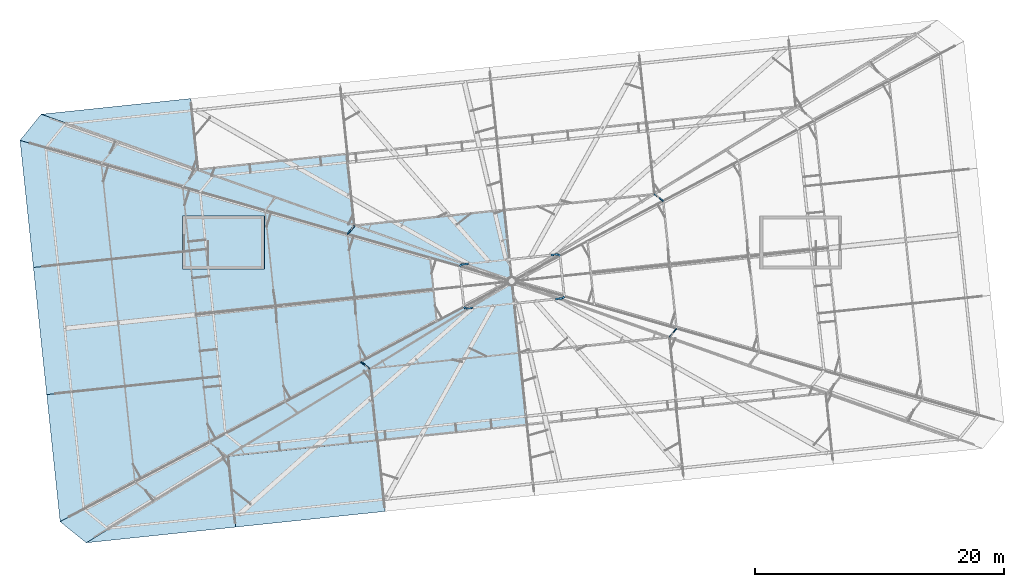
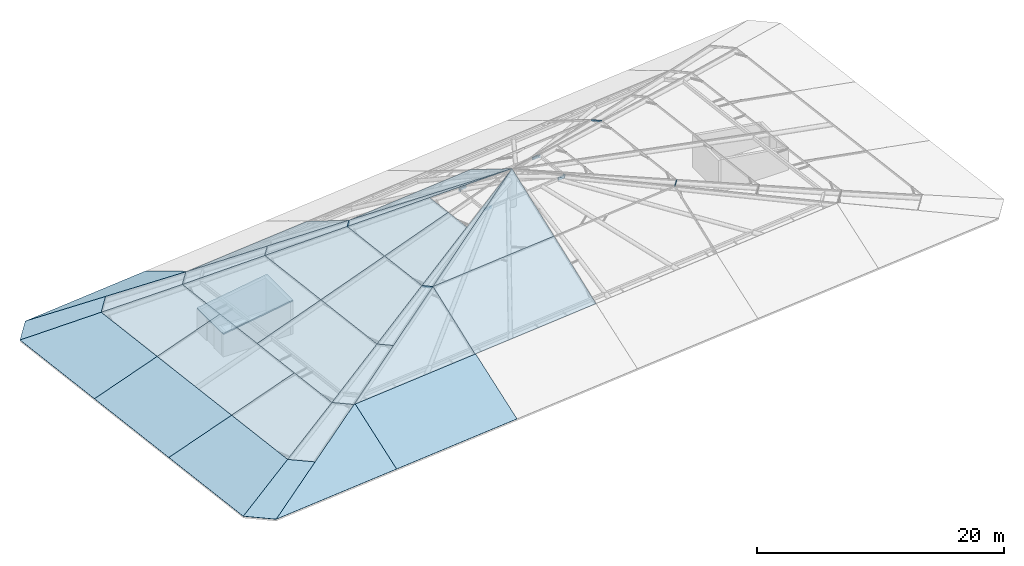
# One storey, part 4 of 20: 30 plates, 8 beams, 4 members, 1 slab, 26 elements without a shape of their own.
"""IFC4 building model written with IfcOpenShell, lengths in metres."""

from ifc_helpers import new_model, si_unit, direction, frame, origin, origin_2d, place, context, subcontext, project, spatial, polyline, rectangle, hollow_rectangle, outline, extrude, material, layer, layer_set, material_profile, profile_set, type_object, element, aggregate, save


model = new_model("IFC4")

# Units and contexts
model_context = context("Model", 3, precision=1e-05, world=origin(), true_north=direction((0.0, 1.0)))
body_context = subcontext(model_context, "Body", "Model", "MODEL_VIEW")
ifc_project = project(units=[si_unit("LENGTHUNIT", "METRE"), si_unit("AREAUNIT", "SQUARE_METRE"), si_unit("VOLUMEUNIT", "CUBIC_METRE"), si_unit("PLANEANGLEUNIT", "RADIAN"), si_unit("MASSUNIT", "GRAM", prefix="KILO")], contexts=[model_context])

# Site, building, storey
site_placement = place(None, origin())
site = spatial("IfcSite", under=ifc_project, at=site_placement, CompositionType="ELEMENT")
building_placement = place(site_placement, origin())
building = spatial("IfcBuilding", under=site, at=building_placement, Name="Hakoniwa Tower and Hamabe Station Hall", CompositionType="ELEMENT")
storey_placement = place(building_placement, frame((0.0, 0.0, 285.0)))
storey = spatial("IfcBuildingStorey", under=building, at=storey_placement, Name="Roof", CompositionType="ELEMENT", Elevation=285.0)

# Beams
ifc_material_1 = material(Name="Steel STKR400", Category="steel")
ifc_material_profile_1 = material_profile(ifc_material_1, hollow_rectangle(XDim=0.14990234375, YDim=0.25, WallThickness=0.009033203125, InnerFilletRadius=0.00439453125, OuterFilletRadius=0.013427734375, at=origin_2d()), Name="RHS-250x150x9")
ifc_profile_set_1 = profile_set([ifc_material_profile_1], Name="Steel STKR400")
beam_type = type_object("IfcBeamType", Name="CROWN UPPER RING RHS-250x150x9", PredefinedType="BEAM", material=ifc_profile_set_1)
beam_1_placement = place(storey_placement, frame((3.855224609375, 4.548583984375, 8.60009765625), z_axis=(-0.776573548957, 0.630026605041, 0.0), x_axis=(-0.630026605041, -0.776573548957, 0.0)))
element("IfcBeam", 1, at=beam_1_placement, inside=storey, type_object=beam_type, Name="CROWN FRAME CR2-01", PredefinedType="BEAM", context=body_context, shape_type="SweptSolid", body=[
    extrude(hollow_rectangle(XDim=0.14990234375, YDim=0.25, WallThickness=0.009033203125, InnerFilletRadius=0.00439453125, OuterFilletRadius=0.013427734375, at=origin_2d()), origin(), (0.0, 0.0, 1.0), 0.19482421875),
])
beam_2_placement = place(storey_placement, frame((3.703857421875, 4.67138671875, 8.60009765625), z_axis=(-0.994496263599, -0.104772046313, 0.0), x_axis=(0.104772046313, -0.994496263599, 0.0)))
element("IfcBeam", 2, at=beam_2_placement, inside=storey, type_object=beam_type, Name="CROWN FRAME CR2-02", PredefinedType="BEAM", context=body_context, shape_type="SweptSolid", body=[
    extrude(hollow_rectangle(XDim=0.14990234375, YDim=0.25, WallThickness=0.009033203125, InnerFilletRadius=0.00439453125, OuterFilletRadius=0.013427734375, at=origin_2d()), origin(), (0.0, 0.0, 1.0), 0.58251953125),
])
beam_3_placement = place(storey_placement, frame((-3.4951171875, 3.91455078125, 8.60009765625), z_axis=(-0.994535279061, -0.104401047423, 0.0), x_axis=(0.104401047423, -0.994535279061, 0.0)))
element("IfcBeam", 3, at=beam_3_placement, inside=storey, type_object=beam_type, Name="CROWN FRAME CR2-07", PredefinedType="BEAM", context=body_context, shape_type="SweptSolid", body=[
    extrude(hollow_rectangle(XDim=0.14990234375, YDim=0.25, WallThickness=0.009033203125, InnerFilletRadius=0.00439453125, OuterFilletRadius=0.013427734375, at=origin_2d()), origin(), (0.0, 0.0, 1.0), 0.582275390625),
])
for number, where, z_axis, x_axis, name in (
    (4, (-4.07421875, 3.853759765625, 8.60009765625), (-0.630026605041, -0.776573548957, 0.0), (0.776573548957, -0.630026605041, 0.0), "CROWN FRAME CR2-08"),
    (5, (-3.855224609375, 0.451416015625, 8.60009765625), (0.776573548957, -0.630026605041, 0.0), (0.630026605041, 0.776573548957, 0.0), "CROWN FRAME CR2-11"),
):
    element("IfcBeam", number, at=place(storey_placement, frame(where, z_axis=z_axis, x_axis=x_axis)), inside=storey, type_object=beam_type, Name=name, PredefinedType="BEAM", context=body_context, shape_type="SweptSolid", body=[
        extrude(hollow_rectangle(XDim=0.14990234375, YDim=0.25, WallThickness=0.009033203125, InnerFilletRadius=0.00439453125, OuterFilletRadius=0.013427734375, at=origin_2d()), origin(), (0.0, 0.0, 1.0), 0.19482421875),
    ])
beam_4_placement = place(storey_placement, frame((-3.703857421875, 0.32861328125, 8.60009765625), z_axis=(0.994496263599, 0.104772046313, 0.0), x_axis=(-0.104772046313, 0.994496263599, 0.0)))
element("IfcBeam", 6, at=beam_4_placement, inside=storey, type_object=beam_type, Name="CROWN FRAME CR2-12", PredefinedType="BEAM", context=body_context, shape_type="SweptSolid", body=[
    extrude(hollow_rectangle(XDim=0.14990234375, YDim=0.25, WallThickness=0.009033203125, InnerFilletRadius=0.00439453125, OuterFilletRadius=0.013427734375, at=origin_2d()), origin(), (0.0, 0.0, 1.0), 0.58251953125),
])
beam_5_placement = place(storey_placement, frame((3.4951171875, 1.08544921875, 8.60009765625), z_axis=(0.994535279061, 0.104401047423, 0.0), x_axis=(-0.104401047423, 0.994535279061, 0.0)))
element("IfcBeam", 7, at=beam_5_placement, inside=storey, type_object=beam_type, Name="CROWN FRAME CR2-17", PredefinedType="BEAM", context=body_context, shape_type="SweptSolid", body=[
    extrude(hollow_rectangle(XDim=0.14990234375, YDim=0.25, WallThickness=0.009033203125, InnerFilletRadius=0.00439453125, OuterFilletRadius=0.013427734375, at=origin_2d()), origin(), (0.0, 0.0, 1.0), 0.582275390625),
])
beam_6_placement = place(storey_placement, frame((4.07421875, 1.146240234375, 8.60009765625), z_axis=(0.630026605041, 0.776573548957, 0.0), x_axis=(-0.776573548957, 0.630026605041, 0.0)))
element("IfcBeam", 8, at=beam_6_placement, inside=storey, type_object=beam_type, Name="CROWN FRAME CR2-18", PredefinedType="BEAM", context=body_context, shape_type="SweptSolid", body=[
    extrude(hollow_rectangle(XDim=0.14990234375, YDim=0.25, WallThickness=0.009033203125, InnerFilletRadius=0.00439453125, OuterFilletRadius=0.013427734375, at=origin_2d()), origin(), (0.0, 0.0, 1.0), 0.19482421875),
])

# Curtain wall, member
ifc_material_2 = material(Name="Dark low-e laminated glass", Category="glass")
ifc_layer_1 = layer(ifc_material_2, 0.199951171875)
ifc_layer_set_1 = layer_set([ifc_layer_1], Name="CW-4 CROWN FACETS")
curtain_wall_type = type_object("IfcCurtainWallType", Name="CW-4 CROWN FACETS", PredefinedType="NOTDEFINED", material=ifc_layer_set_1)
curtain_wall_1_placement = place(storey_placement, origin())
curtain_wall_1 = element("IfcCurtainWall", 9, at=curtain_wall_1_placement, inside=storey, type_object=curtain_wall_type, Name="Crown tent facet", PredefinedType="NOTDEFINED")
ifc_material_3 = material(Name="Aluminium 6063-T5 black anodised", Category="aluminium")
ifc_material_profile_2 = material_profile(ifc_material_3, rectangle(XDim=0.06005859375, YDim=0.1201171875, at=origin_2d()), Name="CW-4 GLAZING BAR 60X120")
ifc_profile_set_2 = profile_set([ifc_material_profile_2], Name="Aluminium 6063-T5 black anodised")
member_type = type_object("IfcMemberType", Name="CW-4 GLAZING BAR 60X120", PredefinedType="MULLION", material=ifc_profile_set_2)
member_1_placement = place(storey_placement, frame((-13.211669921875, 6.287109375, 6.51220703125), z_axis=(0.63706540998, 0.770804751273, 0.002774675131), x_axis=(-0.744015958529, 0.615857509437, -0.259152043257)))
member_1 = element("IfcMember", 10, at=member_1_placement, type_object=member_type, Name="Crown glazing bar", PredefinedType="MULLION", context=body_context, shape_type="SweptSolid", body=[
    extrude(rectangle(XDim=0.06005859375, YDim=0.1201171875, at=origin_2d()), origin(), (0.0, 0.0, 1.0), 0.8798828125),
])

curtain_wall_2_placement = place(storey_placement, origin())
curtain_wall_2 = element("IfcCurtainWall", 11, at=curtain_wall_2_placement, inside=storey, type_object=curtain_wall_type, Name="Crown tent facet", PredefinedType="NOTDEFINED")
member_2_placement = place(storey_placement, frame((12.651123046875, -1.96533203125, 6.5146484375), z_axis=(0.63706540998, 0.770804751273, -0.002774675131), x_axis=(-0.744015958529, 0.615857509437, 0.259152043257)))
member_2 = element("IfcMember", 12, at=member_2_placement, type_object=member_type, Name="Crown glazing bar", PredefinedType="MULLION", context=body_context, shape_type="SweptSolid", body=[
    extrude(rectangle(XDim=0.06005859375, YDim=0.1201171875, at=origin_2d()), origin(), (0.0, 0.0, 1.0), 0.8798828125),
])
aggregate(curtain_wall_2, [member_2])

curtain_wall_3_placement = place(storey_placement, origin())
curtain_wall_3 = element("IfcCurtainWall", 13, at=curtain_wall_3_placement, inside=storey, type_object=curtain_wall_type, Name="Crown tent facet", PredefinedType="NOTDEFINED")
member_3_placement = place(storey_placement, frame((-12.135498046875, -3.951171875, 6.51220703125), z_axis=(0.783350225879, -0.621574391062, 0.002774885674), x_axis=(0.59977805682, 0.757037935753, 0.259152168404)))
member_3 = element("IfcMember", 14, at=member_3_placement, type_object=member_type, Name="Crown glazing bar", PredefinedType="MULLION", context=body_context, shape_type="SweptSolid", body=[
    extrude(rectangle(XDim=0.06005859375, YDim=0.1201171875, at=origin_2d()), origin(), (0.0, 0.0, 1.0), 0.8798828125),
])

curtain_wall_4_placement = place(storey_placement, origin())
curtain_wall_4 = element("IfcCurtainWall", 15, at=curtain_wall_4_placement, inside=storey, type_object=curtain_wall_type, Name="Crown tent facet", PredefinedType="NOTDEFINED")
member_4_placement = place(storey_placement, frame((11.4462890625, 9.498046875, 6.5146484375), z_axis=(0.783350225879, -0.621574391062, -0.002774885674), x_axis=(0.59977805682, 0.757037935753, -0.259152168404)))
member_4 = element("IfcMember", 16, at=member_4_placement, type_object=member_type, Name="Crown glazing bar", PredefinedType="MULLION", context=body_context, shape_type="SweptSolid", body=[
    extrude(rectangle(XDim=0.06005859375, YDim=0.1201171875, at=origin_2d()), origin(), (0.0, 0.0, 1.0), 0.8798828125),
])
aggregate(curtain_wall_4, [member_4])

# Curtain wall, plate
curtain_wall_5_placement = place(storey_placement, origin())
curtain_wall_5 = element("IfcCurtainWall", 17, at=curtain_wall_5_placement, inside=storey, type_object=curtain_wall_type, Name="Crown tent facet", PredefinedType="NOTDEFINED")
ifc_material_4 = material(Name="Dark low-e laminated glass", Category="glass")
ifc_layer_2 = layer(ifc_material_4, 0.030029296875)
ifc_layer_set_2 = layer_set([ifc_layer_2], Name="CW-4 CROWN GLASS FACET")
plate_type = type_object("IfcPlateType", Name="CW-4 CROWN GLASS FACET", PredefinedType="CURTAIN_PANEL", material=ifc_layer_set_2)
plate_1_placement = place(storey_placement, frame((-25.326171875, 11.492919921875, 3.199951171875), z_axis=(-0.051111374717, 0.486258551143, 0.872318891699), x_axis=(-0.915966253191, 0.325256224593, -0.234977044365)))
plate_1 = element("IfcPlate", 18, at=plate_1_placement, type_object=plate_type, Name="Crown glass facet", PredefinedType="CURTAIN_PANEL", context=body_context, shape_type="SweptSolid", body=[
    extrude(outline(polyline([(0.0, 0.0), (13.618269428119445, 6.661338147750939e-16), (3.0392779124844047, -5.79746316226815), (-0.10589406076444983, -0.05810126023931689), (0.0, 0.0)])), origin(), (0.0, 0.0, -1.0), 0.030029296875),
])
aggregate(curtain_wall_5, [plate_1])

curtain_wall_6_placement = place(storey_placement, origin())
curtain_wall_6 = element("IfcCurtainWall", 19, at=curtain_wall_6_placement, inside=storey, type_object=curtain_wall_type, Name="Crown tent facet", PredefinedType="NOTDEFINED")
plate_2_placement = place(storey_placement, frame((-31.56298828125, 13.707763671875, 1.60009765625), z_axis=(-0.193009015003, 0.156298401869, 0.968668328016), x_axis=(-0.629305512859, -0.777158009309, 7.141435e-06)))
plate_2 = element("IfcPlate", 20, at=plate_2_placement, type_object=plate_type, Name="Crown glass facet", PredefinedType="CURTAIN_PANEL", context=body_context, shape_type="SweptSolid", body=[
    extrude(outline(polyline([(0.0, 0.0), (2.255560732081574, 4.440892098500626e-16), (4.905048749923688, -6.442848716333062), (2.2039113353528084, -6.4427061884267385), (0.0, 0.0)])), origin(), (0.0, 0.0, -1.0), 0.030029296875),
])
aggregate(curtain_wall_6, [plate_2])

curtain_wall_7_placement = place(storey_placement, origin())
curtain_wall_7 = element("IfcCurtainWall", 21, at=curtain_wall_7_placement, inside=storey, type_object=curtain_wall_type, Name="Crown tent facet", PredefinedType="NOTDEFINED")
plate_3_placement = place(storey_placement, frame((-25.326171875, 11.492919921875, 3.199951171875), z_axis=(-0.192987069793, 0.156271656314, 0.968677015483), x_axis=(-0.629306785911, -0.777156978484, -4.79386e-07)))
plate_3 = element("IfcPlate", 22, at=plate_3_placement, type_object=plate_type, Name="Crown glass facet", PredefinedType="CURTAIN_PANEL", context=body_context, shape_type="SweptSolid", body=[
    extrude(outline(polyline([(0.0, 0.0), (1.8097943137988861, 1.1102230246251565e-16), (4.459151109448764, -6.442595076379921), (2.203590377319723, -6.4426029244882095), (0.0, 0.0)])), origin(), (0.0, 0.0, -1.0), 0.030029296875),
])
aggregate(curtain_wall_7, [plate_3])

# Curtain wall, plates
curtain_wall_8_placement = place(storey_placement, origin())
curtain_wall_8 = element("IfcCurtainWall", 23, at=curtain_wall_8_placement, inside=storey, type_object=curtain_wall_type, Name="Crown tent facet", PredefinedType="NOTDEFINED")
plate_4_placement = place(storey_placement, frame((-39.5, 13.8232421875, 0.0), z_axis=(-0.24531355879, -0.025782289242, 0.969100888161), x_axis=(0.935578747374, -0.26820468975, 0.229692515896)))
plate_4 = element("IfcPlate", 24, at=plate_4_placement, type_object=plate_type, Name="Crown glass facet", PredefinedType="CURTAIN_PANEL", context=body_context, shape_type="SweptSolid", body=[
    extrude(outline(polyline([(0.0, 0.0), (6.966353876887034, -4.718447854656915e-16), (9.780593440532725, -7.18931303128879), (3.740139757151904, -9.5540744229771), (0.0, 0.0)])), origin(), (0.0, 0.0, -1.0), 0.030029296875),
])
plate_5_placement = place(storey_placement, frame((-36.282470703125, -16.788330078125, 0.0), z_axis=(-0.245315354742, -0.025785475195, 0.969100348775), x_axis=(-0.104532624681, 0.994521457977, 7.74409e-07)))
plate_5 = element("IfcPlate", 25, at=plate_5_placement, type_object=plate_type, Name="Crown glass facet", PredefinedType="CURTAIN_PANEL", context=body_context, shape_type="SweptSolid", body=[
    extrude(outline(polyline([(0.0, 0.0), (10.26006742098936, 0.0), (10.260161509736967, -6.486846470533249), (2.539390212854627, -6.486902921275184), (0.0, 0.0)])), origin(), (0.0, 0.0, -1.0), 0.030029296875),
])
aggregate(curtain_wall_8, [plate_4, plate_5])

curtain_wall_9_placement = place(storey_placement, origin())
curtain_wall_9 = element("IfcCurtainWall", 26, at=curtain_wall_9_placement, inside=storey, type_object=curtain_wall_type, Name="Crown tent facet", PredefinedType="NOTDEFINED")
plate_6_placement = place(storey_placement, frame((-25.92333984375, 4.93359375, 3.199951171875), z_axis=(-0.245279029764, -0.025780526684, 0.969109674909), x_axis=(-0.963803194097, -0.101276675948, -0.246630164331)))
plate_6 = element("IfcPlate", 27, at=plate_6_placement, type_object=plate_type, Name="Crown glass facet", PredefinedType="CURTAIN_PANEL", context=body_context, shape_type="SweptSolid", body=[
    extrude(outline(polyline([(0.0, 0.0), (6.486996826039873, 5.816067029026928e-17), (6.487050072599642, -7.7205029745325255), (0.00027679812774172863, -5.1812323640813425), (0.0, 0.0)])), origin(), (0.0, 0.0, -1.0), 0.030029296875),
])
plate_7_placement = place(storey_placement, frame((-24.309326171875, -10.423095703125, 3.199951171875), z_axis=(-0.245276693383, -0.025779790594, 0.969110285819), x_axis=(-0.859377644025, -0.456867149207, -0.229657294517)))
plate_7 = element("IfcPlate", 28, at=plate_7_placement, type_object=plate_type, Name="Crown glass facet", PredefinedType="CURTAIN_PANEL", context=body_context, shape_type="SweptSolid", body=[
    extrude(outline(polyline([(0.0, 0.0), (6.966177640912726, 2.498001805406602e-16), (4.151766943018575, -7.189534188330211), (-1.8888033292781656, -4.824658164641469), (0.0, 0.0)])), origin(), (0.0, 0.0, -1.0), 0.030029296875),
])
aggregate(curtain_wall_9, [plate_6, plate_7])

# Curtain wall, plate
curtain_wall_10_placement = place(storey_placement, origin())
curtain_wall_10 = element("IfcCurtainWall", 29, at=curtain_wall_10_placement, inside=storey, type_object=curtain_wall_type, Name="Crown tent facet", PredefinedType="NOTDEFINED")
plate_8_placement = place(storey_placement, frame((-38.427490234375, 3.619384765625, 0.0), z_axis=(-0.245316656436, -0.025784808511, 0.969100037006), x_axis=(0.9637892854, 0.101316805541, 0.24666803251)))
plate_8 = element("IfcPlate", 30, at=plate_8_placement, type_object=plate_type, Name="Crown glass facet", PredefinedType="CURTAIN_PANEL", context=body_context, shape_type="SweptSolid", body=[
    extrude(outline(polyline([(0.0, 0.0), (6.486846471220787, -9.859463506040056e-19), (6.486697653635684, -10.260067419913373), (-0.00014881758510321141, -10.260067419913373), (0.0, 0.0)])), origin(), (0.0, 0.0, -1.0), 0.030029296875),
])
aggregate(curtain_wall_10, [plate_8])

curtain_wall_11_placement = place(storey_placement, origin())
curtain_wall_11 = element("IfcCurtainWall", 31, at=curtain_wall_11_placement, inside=storey, type_object=curtain_wall_type, Name="Crown tent facet", PredefinedType="NOTDEFINED")
plate_9_placement = place(storey_placement, frame((-24.850830078125, -5.270263671875, 3.199951171875), z_axis=(-0.245273541377, -0.025780276762, 0.969111070637), x_axis=(-0.96380458218, -0.101276821846, -0.246624679879)))
plate_9 = element("IfcPlate", 32, at=plate_9_placement, type_object=plate_type, Name="Crown glass facet", PredefinedType="CURTAIN_PANEL", context=body_context, shape_type="SweptSolid", body=[
    extrude(outline(polyline([(0.0, 0.0), (6.486996826143755, -4.4232060505619564e-17), (6.48727240243183, -10.260067417291772), (0.00027557628807528545, -10.260067417291772), (0.0, 0.0)])), origin(), (0.0, 0.0, -1.0), 0.030029296875),
])
aggregate(curtain_wall_11, [plate_9])

curtain_wall_12_placement = place(storey_placement, origin())
curtain_wall_12 = element("IfcCurtainWall", 33, at=curtain_wall_12_placement, inside=storey, type_object=curtain_wall_type, Name="Crown tent facet", PredefinedType="NOTDEFINED")
plate_10_placement = place(storey_placement, frame((-36.282470703125, -16.788330078125, 0.0), z_axis=(-0.156299724899, -0.193013522208, 0.968667216459), x_axis=(0.859369425216, 0.456862685807, 0.229696924929)))
plate_10 = element("IfcPlate", 34, at=plate_10_placement, type_object=plate_type, Name="Crown glass facet", PredefinedType="CURTAIN_PANEL", context=body_context, shape_type="SweptSolid", body=[
    extrude(outline(polyline([(0.0, 0.0), (6.966233714325253, 3.608224830031759e-16), (7.823951841362649, -2.0859093861398232), (1.027387768413214, -2.4979567111873657), (0.0, 0.0)])), origin(), (0.0, 0.0, -1.0), 0.030029296875),
])
aggregate(curtain_wall_12, [plate_10])

curtain_wall_13_placement = place(storey_placement, origin())
curtain_wall_13 = element("IfcCurtainWall", 35, at=curtain_wall_13_placement, inside=storey, type_object=curtain_wall_type, Name="Crown tent facet", PredefinedType="NOTDEFINED")
plate_11_placement = place(storey_placement, frame((-24.309326171875, -10.423095703125, 3.199951171875), z_axis=(-0.156275623419, -0.192977055734, 0.968678370505), x_axis=(0.777155511873, -0.629308597027, 8.611639e-06)))
plate_11 = element("IfcPlate", 36, at=plate_11_placement, type_object=plate_type, Name="Crown glass facet", PredefinedType="CURTAIN_PANEL", context=body_context, shape_type="SweptSolid", body=[
    extrude(outline(polyline([(0.0, 0.0), (1.8097943137275903, 1.1102230246251565e-16), (-0.39429205688957825, -6.442727154376696), (-2.64966305367849, -6.442586175356202), (0.0, 0.0)])), origin(), (0.0, 0.0, -1.0), 0.030029296875),
])
aggregate(curtain_wall_13, [plate_11])

curtain_wall_14_placement = place(storey_placement, origin())
curtain_wall_14 = element("IfcCurtainWall", 37, at=curtain_wall_14_placement, inside=storey, type_object=curtain_wall_type, Name="Crown tent facet", PredefinedType="NOTDEFINED")
plate_12_placement = place(storey_placement, frame((-22.903076171875, -11.56201171875, 3.199951171875), z_axis=(0.051102470351, -0.486267045806, 0.872314678134), x_axis=(0.99463518968, 0.103443095395, -0.000604537442)))
plate_12 = element("IfcPlate", 38, at=plate_12_placement, type_object=plate_type, Name="Crown glass facet", PredefinedType="CURTAIN_PANEL", context=body_context, shape_type="SweptSolid", body=[
    extrude(outline(polyline([(0.0, 0.0), (0.1207607693329245, 1.734723475976807e-18), (0.1291195407198437, -6.544450400478858), (-11.934271925045644, -6.559515046922116), (0.0, 0.0)])), origin(), (0.0, 0.0, -1.0), 0.030029296875),
])
aggregate(curtain_wall_14, [plate_12])

curtain_wall_15_placement = place(storey_placement, origin())
curtain_wall_15 = element("IfcCurtainWall", 39, at=curtain_wall_15_placement, inside=storey, type_object=curtain_wall_type, Name="Crown tent facet", PredefinedType="NOTDEFINED")
plate_13_placement = place(storey_placement, frame((-10.78564453125, -10.28857421875, 3.199951171875), z_axis=(0.051111137212, -0.486278187451, 0.872307959417), x_axis=(0.091173668223, -0.867530136829, -0.488956873267)))
plate_13 = element("IfcPlate", 40, at=plate_13_placement, type_object=plate_type, Name="Crown glass facet", PredefinedType="CURTAIN_PANEL", context=body_context, shape_type="SweptSolid", body=[
    extrude(outline(polyline([(0.0, 0.0), (6.544433475347111, 4.975640938761211e-17), (6.54456020880297, -12.063158068544356), (0.00010447425951642941, -12.063400871890416), (0.0, 0.0)])), origin(), (0.0, 0.0, -1.0), 0.030029296875),
])
aggregate(curtain_wall_15, [plate_13])

curtain_wall_16_placement = place(storey_placement, origin())
curtain_wall_16 = element("IfcCurtainWall", 41, at=curtain_wall_16_placement, inside=storey, type_object=curtain_wall_type, Name="Crown tent facet", PredefinedType="NOTDEFINED")
plate_14_placement = place(storey_placement, frame((-25.325927734375, 11.492919921875, 3.199951171875), z_axis=(-0.05289816095, 0.503261139797, 0.862513773651), x_axis=(0.994521220766, 0.104534881485, 0.0)))
plate_14 = element("IfcPlate", 42, at=plate_14_placement, type_object=plate_type, Name="Crown glass facet", PredefinedType="CURTAIN_PANEL", context=body_context, shape_type="SweptSolid", body=[
    extrude(outline(polyline([(0.0, 0.0), (12.123551166629401, 0.0), (12.123440733678484, -6.719211091456167), (0.0, 0.0)])), origin(), (0.0, 0.0, -1.0), 0.030029296875),
])
aggregate(curtain_wall_16, [plate_14])

curtain_wall_17_placement = place(storey_placement, origin())
curtain_wall_17 = element("IfcCurtainWall", 43, at=curtain_wall_17_placement, inside=storey, type_object=curtain_wall_type, Name="Crown tent facet", PredefinedType="NOTDEFINED")
plate_15_placement = place(storey_placement, frame((-12.6630859375, 6.99658203125, 6.60009765625), z_axis=(-0.052884197602, 0.503235427159, 0.862529632243), x_axis=(0.994523534097, 0.104512870633, 0.0)))
plate_15 = element("IfcPlate", 44, at=plate_15_placement, type_object=plate_type, Name="Crown glass facet", PredefinedType="CURTAIN_PANEL", context=body_context, shape_type="SweptSolid", body=[
    extrude(outline(polyline([(0.0, 0.0), (12.123768451419803, 2.220446049250313e-16), (12.123786283008014, -6.719087552283725), (0.0, 0.0)])), origin(), (0.0, 0.0, -1.0), 0.030029296875),
])
aggregate(curtain_wall_17, [plate_15])

# Plate
plate_16_placement = place(storey_placement, frame((-25.326171875, 11.492919921875, 3.199951171875), z_axis=(-0.201402521928, 0.163103877494, 0.965833396248), x_axis=(0.913564037287, -0.324400515281, 0.245285660939)))
plate_16 = element("IfcPlate", 45, at=plate_16_placement, type_object=plate_type, Name="Crown glass facet", PredefinedType="CURTAIN_PANEL", context=body_context, shape_type="SweptSolid", body=[
    extrude(outline(polyline([(0.0, 0.0), (6.93059036751174, -6.38378239159465e-16), (6.492321241424575, -1.284533230704624), (-0.5842052894066562, -1.7129096991693784), (0.0, 0.0)])), origin(), (0.0, 0.0, -1.0), 0.030029296875),
])

plate_17_placement = place(storey_placement, frame((-13.232421875, 6.293212890625, 6.60009765625), z_axis=(-0.201423088039, 0.163040139294, 0.965839869017), x_axis=(0.629159421909, 0.777276284099, 0.0)))
plate_17 = element("IfcPlate", 46, at=plate_17_placement, type_object=plate_type, Name="Crown glass facet", PredefinedType="CURTAIN_PANEL", context=body_context, shape_type="SweptSolid", body=[
    extrude(outline(polyline([(0.0, 0.0), (0.9049152212845991, 5.551115123125783e-17), (5.376928476907325, -13.11996298824208), (0.0, 0.0)])), origin(), (0.0, 0.0, -1.0), 0.030029296875),
])

aggregate(curtain_wall_1, [plate_16, plate_17, member_1])

# Curtain wall, plate
curtain_wall_18_placement = place(storey_placement, origin())
curtain_wall_18 = element("IfcCurtainWall", 47, at=curtain_wall_18_placement, inside=storey, type_object=curtain_wall_type, Name="Crown tent facet", PredefinedType="NOTDEFINED")
plate_18_placement = place(storey_placement, frame((-12.6630859375, 6.99658203125, 6.60009765625), z_axis=(-0.201431674099, 0.163109025367, 0.965826447408), x_axis=(-0.629169119863, -0.777268432685, 4.6496344e-05)))
plate_18 = element("IfcPlate", 48, at=plate_18_placement, type_object=plate_type, Name="Crown glass facet", PredefinedType="CURTAIN_PANEL", context=body_context, shape_type="SweptSolid", body=[
    extrude(outline(polyline([(0.0, 0.0), (0.9049152202359811, 0.0), (3.5934381849179373, -6.560302220931442), (2.2361963930232345, -6.559896409845498), (0.0, 0.0)])), origin(), (0.0, 0.0, -1.0), 0.030029296875),
])
aggregate(curtain_wall_18, [plate_18])

# Curtain wall, plates
curtain_wall_19_placement = place(storey_placement, origin())
curtain_wall_19 = element("IfcCurtainWall", 49, at=curtain_wall_19_placement, inside=storey, type_object=curtain_wall_type, Name="Crown tent facet", PredefinedType="NOTDEFINED")
plate_19_placement = place(storey_placement, frame((-26.465087890625, 10.08642578125, 3.199951171875), z_axis=(-0.25598476885, -0.026905808018, 0.966306305274), x_axis=(0.93324742383, -0.26749826537, 0.239778906369)))
plate_19 = element("IfcPlate", 50, at=plate_19_placement, type_object=plate_type, Name="Crown glass facet", PredefinedType="CURTAIN_PANEL", context=body_context, shape_type="SweptSolid", body=[
    extrude(outline(polyline([(0.0, 0.0), (7.089708370030922, 6.661338147750939e-16), (9.901471083469906, -7.204262219466942), (3.749027591928061, -9.605427296718531), (0.0, 0.0)])), origin(), (0.0, 0.0, -1.0), 0.030029296875),
])
plate_20_placement = place(storey_placement, frame((-6.6162109375, 4.396728515625, 8.300048828125), z_axis=(-0.255988711874, -0.026904695585, 0.96630529169), x_axis=(0.104554536044, -0.994519154633, 7.809016e-06)))
plate_20 = element("IfcPlate", 51, at=plate_20_placement, type_object=plate_type, Name="Crown glass facet", PredefinedType="CURTAIN_PANEL", context=body_context, shape_type="SweptSolid", body=[
    extrude(outline(polyline([(0.0, 0.0), (2.577850061179726, 0.0), (2.577816419066298, -6.604428846068678), (-2.5778581772833777, -6.604194224752342), (0.0, 0.0)])), origin(), (0.0, 0.0, -1.0), 0.030029296875),
])
aggregate(curtain_wall_19, [plate_19, plate_20])

# Curtain wall, plate
curtain_wall_20_placement = place(storey_placement, origin())
curtain_wall_20 = element("IfcCurtainWall", 52, at=curtain_wall_20_placement, inside=storey, type_object=curtain_wall_type, Name="Crown tent facet", PredefinedType="NOTDEFINED")
plate_21_placement = place(storey_placement, frame((-13.232421875, 6.293212890625, 6.60009765625), z_axis=(-0.256028409116, -0.026907242386, 0.966294703511), x_axis=(0.104510389369, -0.994523794843, -2.343054e-06)))
plate_21 = element("IfcPlate", 53, at=plate_21_placement, type_object=plate_type, Name="Crown glass facet", PredefinedType="CURTAIN_PANEL", context=body_context, shape_type="SweptSolid", body=[
    extrude(outline(polyline([(0.0, 0.0), (5.15567460171511, 0.0), (5.155724221466437, -6.604232410503109), (-2.5778004387221176, -6.604349720456542), (0.0, 0.0)])), origin(), (0.0, 0.0, -1.0), 0.030029296875),
])
aggregate(curtain_wall_20, [plate_21])

# Curtain wall, plates
curtain_wall_21_placement = place(storey_placement, origin())
curtain_wall_21 = element("IfcCurtainWall", 54, at=curtain_wall_21_placement, inside=storey, type_object=curtain_wall_type, Name="Crown tent facet", PredefinedType="NOTDEFINED")
plate_22_placement = place(storey_placement, frame((-24.309326171875, -10.423095703125, 3.199951171875), z_axis=(-0.255987814807, -0.026905762134, 0.96630549964), x_axis=(-0.104532965099, 0.994521422196, -8.3668e-07)))
plate_22 = element("IfcPlate", 55, at=plate_22_placement, type_object=plate_type, Name="Crown glass facet", PredefinedType="CURTAIN_PANEL", context=body_context, shape_type="SweptSolid", body=[
    extrude(outline(polyline([(0.0, 0.0), (10.311374721395552, -2.220446049250313e-16), (10.311248550973376, -6.604404184252161), (2.577723890112571, -6.604345528765267), (0.0, 0.0)])), origin(), (0.0, 0.0, -1.0), 0.030029296875),
])
plate_23_placement = place(storey_placement, frame((-12.15478515625, -3.961669921875, 6.60009765625), z_axis=(-0.255989556779, -0.026896658507, 0.966305291604), x_axis=(-0.104508734182, 0.994523968773, -3.90454e-06)))
plate_23 = element("IfcPlate", 56, at=plate_23_placement, type_object=plate_type, Name="Crown glass facet", PredefinedType="CURTAIN_PANEL", context=body_context, shape_type="SweptSolid", body=[
    extrude(outline(polyline([(0.0, 0.0), (5.155674601688178, 0.0), (5.155941510089936, -6.6044288407610034), (2.578116966659688, -6.604311529522157), (0.0, 0.0)])), origin(), (0.0, 0.0, -1.0), 0.030029296875),
])
aggregate(curtain_wall_21, [plate_22, plate_23])

# Curtain wall, plate
curtain_wall_22_placement = place(storey_placement, origin())
curtain_wall_22 = element("IfcCurtainWall", 57, at=curtain_wall_22_placement, inside=storey, type_object=curtain_wall_type, Name="Crown tent facet", PredefinedType="NOTDEFINED")
plate_24_placement = place(storey_placement, frame((-18.23193359375, -7.1923828125, 4.89990234375), z_axis=(-0.25603204737, -0.026907624748, 0.966293728868), x_axis=(-0.104524966816, 0.994522262853, -1.562054e-06)))
plate_24 = element("IfcPlate", 58, at=plate_24_placement, type_object=plate_type, Name="Crown glass facet", PredefinedType="CURTAIN_PANEL", context=body_context, shape_type="SweptSolid", body=[
    extrude(outline(polyline([(0.0, 0.0), (7.7335246610782935, 0.0), (7.733474101167959, -6.604232410495977), (2.5777995000460048, -6.60415420406826), (0.0, 0.0)])), origin(), (0.0, 0.0, -1.0), 0.030029296875),
])
aggregate(curtain_wall_22, [plate_24])

# Plate
plate_25_placement = place(storey_placement, frame((-18.23193359375, -7.1923828125, 4.89990234375), z_axis=(-0.163090639007, -0.201410845502, 0.965833896062), x_axis=(0.777168973, -0.629291973092, 2.85355e-06)))
plate_25 = element("IfcPlate", 59, at=plate_25_placement, type_object=plate_type, Name="Crown glass facet", PredefinedType="CURTAIN_PANEL", context=body_context, shape_type="SweptSolid", body=[
    extrude(outline(polyline([(0.0, 0.0), (1.3570882044032484, 0.0), (-0.8803097964628562, -6.559408330084827), (-2.6901041099216045, -6.559373460539153), (0.0, 0.0)])), origin(), (0.0, 0.0, -1.0), 0.030029296875),
])

plate_26_placement = place(storey_placement, frame((-11.451416015625, -4.531005859375, 6.60009765625), z_axis=(-0.163089017348, -0.20141353772, 0.965833608467), x_axis=(-0.777169454847, 0.629291378022, 0.0)))
plate_26 = element("IfcPlate", 60, at=plate_26_placement, type_object=plate_type, Name="Crown glass facet", PredefinedType="CURTAIN_PANEL", context=body_context, shape_type="SweptSolid", body=[
    extrude(outline(polyline([(0.0, 0.0), (0.9047254696061142, 0.0), (-4.475139375963145, -13.11878179063206), (0.0, 0.0)])), origin(), (0.0, 0.0, -1.0), 0.030029296875),
])

aggregate(curtain_wall_3, [plate_25, plate_26, member_3])

# Curtain wall, plate
curtain_wall_23_placement = place(storey_placement, origin())
curtain_wall_23 = element("IfcCurtainWall", 61, at=curtain_wall_23_placement, inside=storey, type_object=curtain_wall_type, Name="Crown tent facet", PredefinedType="NOTDEFINED")
plate_27_placement = place(storey_placement, frame((-12.154541015625, -3.961669921875, 6.60009765625), z_axis=(-0.163111299641, -0.20144105616, 0.965824106565), x_axis=(0.777169454847, -0.629291378022, 0.0)))
plate_27 = element("IfcPlate", 62, at=plate_27_placement, type_object=plate_type, Name="Crown glass facet", PredefinedType="CURTAIN_PANEL", context=body_context, shape_type="SweptSolid", body=[
    extrude(outline(polyline([(0.0, 0.0), (0.9047254696061142, 5.551115123125783e-17), (-1.3330159054888453, -6.559436737163957), (-2.690104109898017, -6.559436737163957), (0.0, 0.0)])), origin(), (0.0, 0.0, -1.0), 0.030029296875),
])
aggregate(curtain_wall_23, [plate_27])

curtain_wall_24_placement = place(storey_placement, origin())
curtain_wall_24 = element("IfcCurtainWall", 63, at=curtain_wall_24_placement, inside=storey, type_object=curtain_wall_type, Name="Crown tent facet", PredefinedType="NOTDEFINED")
plate_28_placement = place(storey_placement, frame((-11.451416015625, -4.531005859375, 6.60009765625), z_axis=(0.05289816095, -0.503261139797, 0.862513773651), x_axis=(0.090146429737, -0.857789969056, -0.506033586032)))
plate_28 = element("IfcPlate", 64, at=plate_28_placement, type_object=plate_type, Name="Crown glass facet", PredefinedType="CURTAIN_PANEL", context=body_context, shape_type="SweptSolid", body=[
    extrude(outline(polyline([(0.0, 0.0), (6.71921109236367, 1.9535967895473183e-17), (6.719410347828714, -12.12355116499198), (0.0, 0.0)])), origin(), (0.0, 0.0, -1.0), 0.030029296875),
])
aggregate(curtain_wall_24, [plate_28])

curtain_wall_25_placement = place(storey_placement, origin())
curtain_wall_25 = element("IfcCurtainWall", 65, at=curtain_wall_25_placement, inside=storey, type_object=curtain_wall_type, Name="Crown tent facet", PredefinedType="NOTDEFINED")
plate_29_placement = place(storey_placement, frame((-10.845703125, -10.294677734375, 3.199951171875), z_axis=(0.0528916809, -0.503253058234, 0.862518886442), x_axis=(-0.090146964142, 0.857795053808, 0.506024871443)))
plate_29 = element("IfcPlate", 66, at=plate_29_placement, type_object=plate_type, Name="Crown glass facet", PredefinedType="CURTAIN_PANEL", context=body_context, shape_type="SweptSolid", body=[
    extrude(outline(polyline([(0.0, 0.0), (6.719211092020707, 1.7826316594735103e-16), (6.719410348171688, -12.123551164801887), (-3.217500574415055e-05, -12.123768451187031), (0.0, 0.0)])), origin(), (0.0, 0.0, -1.0), 0.030029296875),
])
aggregate(curtain_wall_25, [plate_29])

curtain_wall_26_placement = place(storey_placement, origin())
curtain_wall_26 = element("IfcCurtainWall", 67, at=curtain_wall_26_placement, inside=storey, type_object=curtain_wall_type, Name="Crown tent facet", PredefinedType="NOTDEFINED")
plate_30_placement = place(storey_placement, frame((0.0, 2.5, 10.0), z_axis=(0.052895335244, -0.503234256664, 0.862529632204), x_axis=(0.090148087208, -0.857805740754, -0.506006554801)))
plate_30 = element("IfcPlate", 68, at=plate_30_placement, type_object=plate_type, Name="Crown glass facet", PredefinedType="CURTAIN_PANEL", context=body_context, shape_type="SweptSolid", body=[
    extrude(outline(polyline([(0.0, 0.0), (6.719087552307385, -2.6491802458325497e-17), (6.719286811436027, -12.123551164991916), (0.0, 0.0)])), origin(), (0.0, 0.0, -1.0), 0.030029296875),
])
aggregate(curtain_wall_26, [plate_30])

# Slab
ifc_material_5 = material(Name="Concrete C40", Category="concrete")
ifc_layer_3 = layer(ifc_material_5, 0.1201171875)
ifc_layer_set_3 = layer_set([ifc_layer_3], Name="STAIR HEAD-HOUSE ROOF 120")
slab_type = type_object("IfcSlabType", Name="STAIR HEAD-HOUSE ROOF 120", PredefinedType="ROOF", material=ifc_layer_set_3)
slab_placement = place(storey_placement, frame((-19.89990234375, 3.5, 3.3701171875), z_axis=(-0.158290488557, 0.0, 0.987392587187), x_axis=(-0.987392587187, 0.0, -0.158290488557)))
element("IfcSlab", 69, at=slab_placement, inside=storey, type_object=slab_type, Name="Stair head-house roof ST-1", PredefinedType="ROOF", context=body_context, shape_type="SweptSolid", body=[
    extrude(outline(polyline([(0.0, 0.0), (6.633682400617954, 0.0), (6.633682400617954, -4.25), (0.0, -4.25), (0.0, 0.0)])), origin(), (0.0, 0.0, -1.0), 0.1201171875),
])

save(model, "model.ifc")
